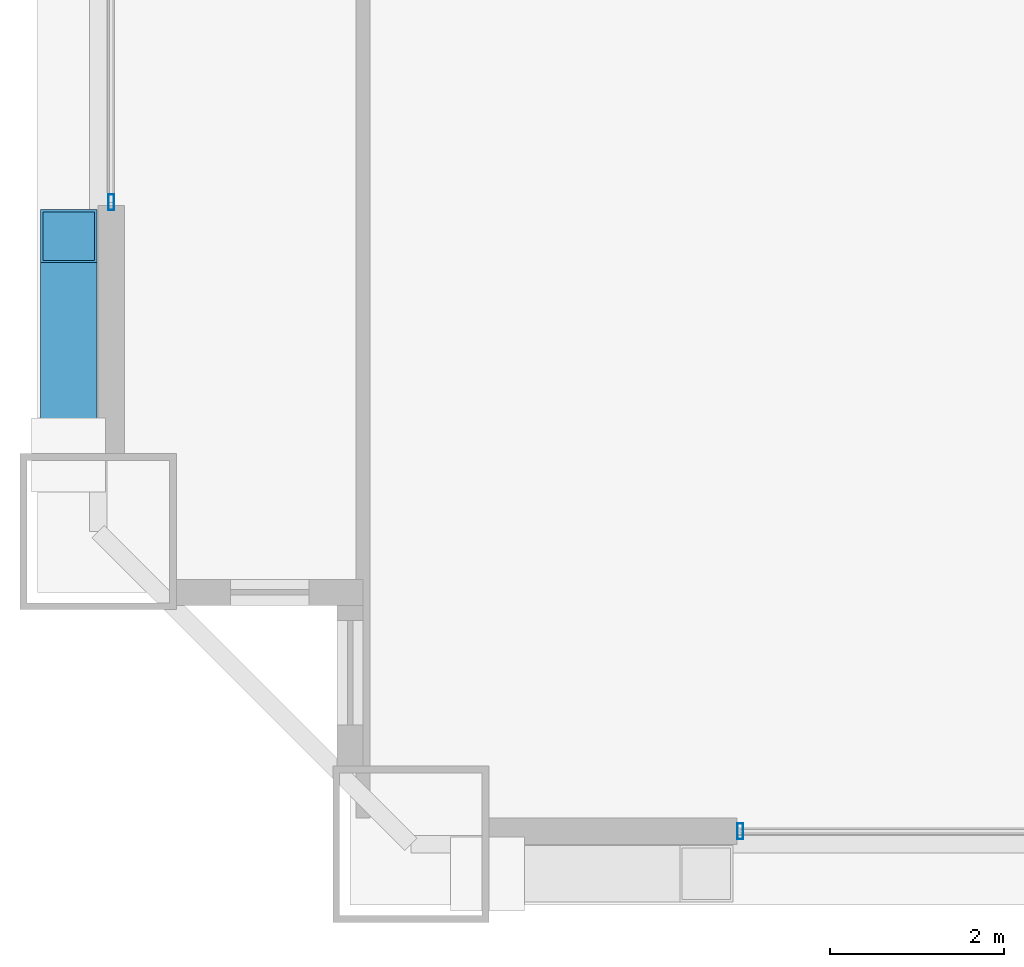
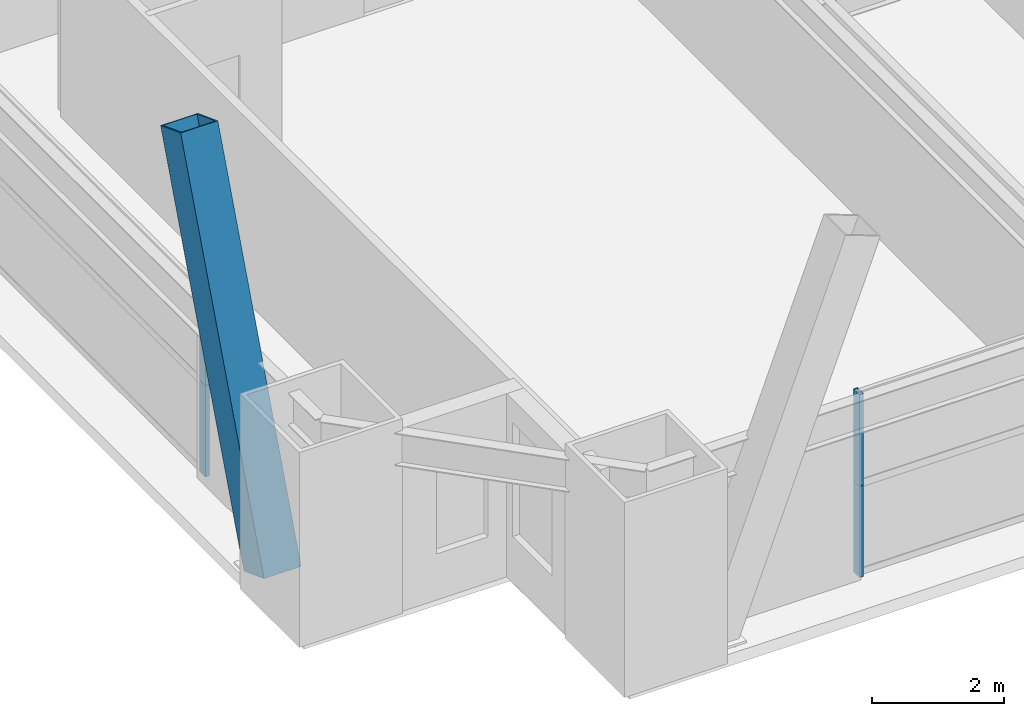
# One storey, part 3 of 43: 5 members, 2 elements without a shape of their own.
"""IFC4 building model written with IfcOpenShell, lengths in metres."""

from ifc_helpers import new_model, si_unit, direction, frame, origin, origin_2d, place, context, subcontext, project, spatial, hollow_rectangle, extrude, source, transform, mapped, material, layer, layer_set, material_profile, profile_set, type_object, element, aggregate, save


model = new_model("IFC4")

# Units and contexts
model_context = context("Model", 3, precision=1e-05, world=origin(), true_north=direction((0.0, 1.0)))
body_context = subcontext(model_context, "Body", "Model", "MODEL_VIEW")
ifc_project = project(units=[si_unit("LENGTHUNIT", "METRE"), si_unit("AREAUNIT", "SQUARE_METRE"), si_unit("VOLUMEUNIT", "CUBIC_METRE"), si_unit("PLANEANGLEUNIT", "RADIAN"), si_unit("MASSUNIT", "GRAM", prefix="KILO"), si_unit("THERMODYNAMICTEMPERATUREUNIT", "KELVIN"), si_unit("POWERUNIT", "WATT")], contexts=[model_context])

# Site, building, storey
site_placement = place(None, origin())
site = spatial("IfcSite", under=ifc_project, at=site_placement, CompositionType="ELEMENT")
building_placement = place(site_placement, origin())
building = spatial("IfcBuilding", under=site, at=building_placement, Name="Yuzanri Waterfront Tower", CompositionType="ELEMENT")
storey_placement = place(building_placement, frame((0.0, 0.0, 67.60009765625)))
storey = spatial("IfcBuildingStorey", under=building, at=storey_placement, Name="L17", CompositionType="ELEMENT", Elevation=67.60009765625)

# Member
ifc_material_1 = material(Name="Steel Q420GJC", Category="steel")
ifc_material_profile_1 = material_profile(ifc_material_1, hollow_rectangle(XDim=0.64990234375, YDim=0.64990234375, WallThickness=0.028076171875, at=origin_2d()), Name="RHS 650x650x28")
ifc_profile_set_1 = profile_set([ifc_material_profile_1], Name="Steel Q420GJC")
member_type_1 = type_object("IfcMemberType", Name="Mega Brace Lower Q420GJC RHS 650x650x28", PredefinedType="BRACE", material=ifc_profile_set_1)
shared_shape_1 = source(origin(), body_context, "Body", "SweptSolid", [
    extrude(hollow_rectangle(XDim=0.64990234375, YDim=0.64990234375, WallThickness=0.028076171875, at=origin_2d()), origin(), (0.0, 0.0, 1.0), 7.158203125),
])
member_1_placement = place(storey_placement, frame((11.56005859375, 5.179931640625, 0.179931640625), z_axis=(0.0, 0.352046480343, 0.935982518896), x_axis=(-1.0, 0.0, 0.0)))
element("IfcMember", 1, at=member_1_placement, inside=storey, type_object=member_type_1, Name="L17-L18 Perimeter Mega-Brace W-L", PredefinedType="BRACE", context=body_context, shape_type="MappedRepresentation", body=[
    mapped(shared_shape_1, transform((0.0, 0.0, 0.0), scale=1.0)),
])

# Curtain wall, members
ifc_material_2 = material(Name="Anodized Architectural Bronze", Category="metal")
ifc_layer = layer(ifc_material_2, 0.159912109375)
ifc_layer_set = layer_set([ifc_layer], Name="Anodized Architectural Bronze")
curtain_wall_type = type_object("IfcCurtainWallType", Name="Anodized Bronze Hotel Lower-Tier Recessed Unitized Curtain Wall 8100", PredefinedType="NOTDEFINED", material=ifc_layer_set)
curtain_wall_1_placement = place(storey_placement, origin())
curtain_wall_1 = element("IfcCurtainWall", 2, at=curtain_wall_1_placement, inside=storey, type_object=curtain_wall_type, Name="L17 Curtain Wall CW-L17-SL", PredefinedType="NOTDEFINED")
ifc_material_3 = material(Name="Anodized Architectural Bronze", Category="metal")
ifc_material_profile_2 = material_profile(ifc_material_3, hollow_rectangle(XDim=0.070068359375, YDim=0.179931640625, WallThickness=0.00390625, at=origin_2d()), Name="CWM 70x180")
ifc_profile_set_2 = profile_set([ifc_material_profile_2], Name="Anodized Architectural Bronze")
member_type_2 = type_object("IfcMemberType", Name="Anodized Bronze Standard Curtain-Wall Mullion 70x180", PredefinedType="MULLION", material=ifc_profile_set_2)
shared_shape_2 = source(origin(), body_context, "Body", "SweptSolid", [
    extrude(hollow_rectangle(XDim=0.070068359375, YDim=0.179931640625, WallThickness=0.00390625, at=origin_2d()), origin(), (0.0, 0.0, 1.0), 1.68798828125),
])
member_2_placement = place(storey_placement, frame((19.2900390625, 0.85009765625, 0.0), z_axis=(0.0, 0.0, 1.0), x_axis=(1.0, 0.0, 0.0)))
member_2 = element("IfcMember", 3, at=member_2_placement, type_object=member_type_2, Name="CW-L17-SL Lower Mullion 00", PredefinedType="MULLION", context=body_context, shape_type="MappedRepresentation", body=[
    mapped(shared_shape_2, transform((0.0, 0.0, 0.0), scale=1.0)),
])
member_3_placement = place(storey_placement, frame((19.2900390625, 0.85009765625, 1.69189453125), z_axis=(0.0, 0.0, 1.0), x_axis=(1.0, 0.0, 0.0)))
member_3 = element("IfcMember", 4, at=member_3_placement, type_object=member_type_2, Name="CW-L17-SL Upper Mullion 00", PredefinedType="MULLION", context=body_context, shape_type="MappedRepresentation", body=[
    mapped(shared_shape_2, transform((0.0, 0.0, 0.0), scale=1.0)),
])
aggregate(curtain_wall_1, [member_2, member_3])

curtain_wall_2_placement = place(storey_placement, origin())
curtain_wall_2 = element("IfcCurtainWall", 5, at=curtain_wall_2_placement, inside=storey, type_object=curtain_wall_type, Name="L17 Curtain Wall CW-L17-WL", PredefinedType="NOTDEFINED")
member_4_placement = place(storey_placement, frame((12.050048828125, 8.090087890625, 0.0), z_axis=(0.0, 0.0, 1.0), x_axis=(1.0, 0.0, 0.0)))
member_4 = element("IfcMember", 6, at=member_4_placement, type_object=member_type_2, Name="CW-L17-WL Lower Mullion 00", PredefinedType="MULLION", context=body_context, shape_type="MappedRepresentation", body=[
    mapped(shared_shape_2, transform((0.0, 0.0, 0.0), scale=1.0)),
])
member_5_placement = place(storey_placement, frame((12.050048828125, 8.090087890625, 1.69189453125), z_axis=(0.0, 0.0, 1.0), x_axis=(1.0, 0.0, 0.0)))
member_5 = element("IfcMember", 7, at=member_5_placement, type_object=member_type_2, Name="CW-L17-WL Upper Mullion 00", PredefinedType="MULLION", context=body_context, shape_type="MappedRepresentation", body=[
    mapped(shared_shape_2, transform((0.0, 0.0, 0.0), scale=1.0)),
])
aggregate(curtain_wall_2, [member_4, member_5])

save(model, "model.ifc")
